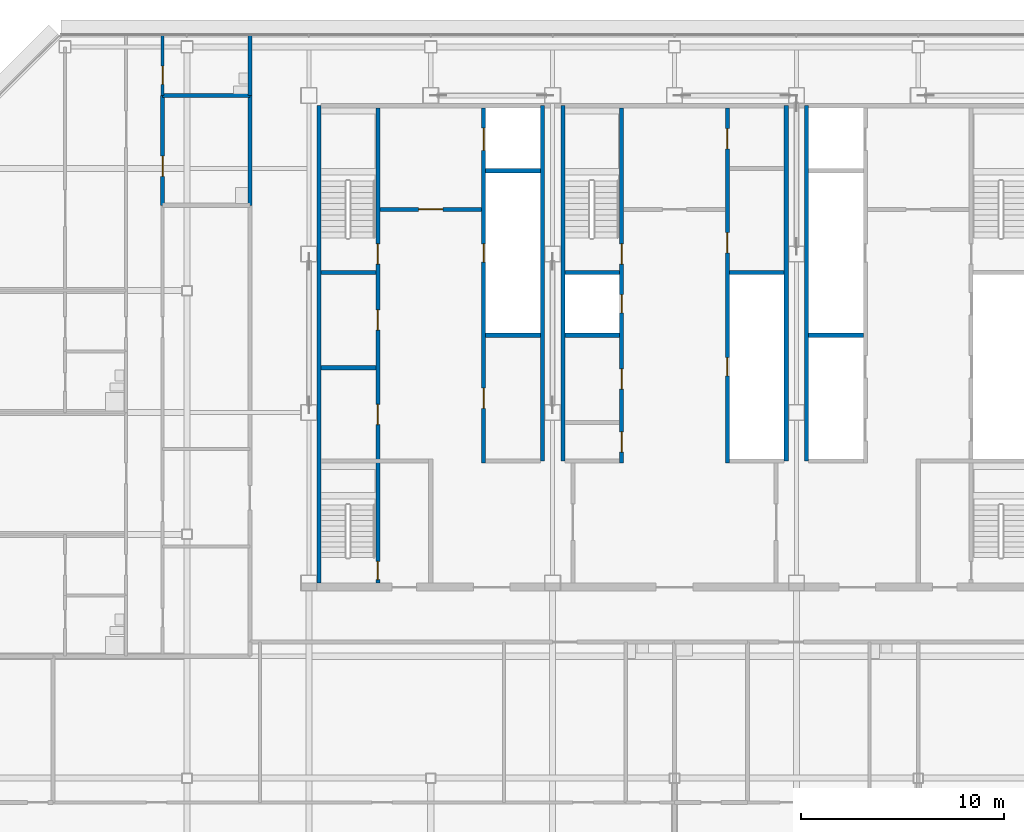
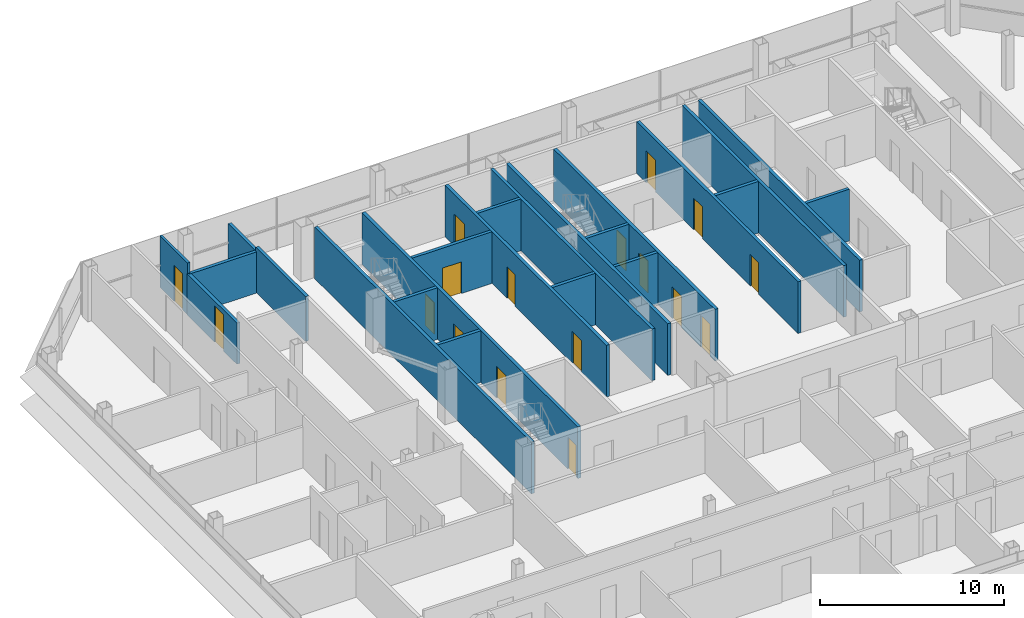
# One storey, part 24 of 28: 23 walls, 17 doors, 17 openings.
"""IFC4 building model written with IfcOpenShell, lengths in metres."""

from ifc_helpers import new_model, si_unit, direction, frame, frame_2d, origin, place, context, subcontext, project, spatial, rectangle, extrude, material, layer, layer_set, type_object, element, fill, save


model = new_model("IFC4")

# Units and contexts
model_context = context("Model", 3, precision=1e-05, world=origin(), true_north=direction((0.0, 1.0)))
body_context = subcontext(model_context, "Body", "Model", "MODEL_VIEW")
ifc_project = project(units=[si_unit("LENGTHUNIT", "METRE"), si_unit("AREAUNIT", "SQUARE_METRE"), si_unit("VOLUMEUNIT", "CUBIC_METRE"), si_unit("PLANEANGLEUNIT", "RADIAN"), si_unit("MASSUNIT", "GRAM", prefix="KILO")], contexts=[model_context])

# Site, building, storey
site_placement = place(None, origin())
site = spatial("IfcSite", under=ifc_project, at=site_placement, CompositionType="ELEMENT")
building_placement = place(site_placement, origin())
building = spatial("IfcBuilding", under=site, at=building_placement, Name="Sorahane Residences", CompositionType="ELEMENT")
storey_placement = place(building_placement, frame((0.0, 0.0, 273.800048828125)))
storey = spatial("IfcBuildingStorey", under=building, at=storey_placement, Name="L65", CompositionType="ELEMENT", Elevation=273.800048828125)

# Walls
ifc_material_1 = material(Name="Concrete C30", Category="concrete")
ifc_layer_1 = layer(ifc_material_1, 0.199951171875)
ifc_layer_set_1 = layer_set([ifc_layer_1], Name="Core face wall 200 EI 180")
wall_type_1 = type_object("IfcWallType", Name="Core face wall 200 EI 180", PredefinedType="SOLIDWALL", material=ifc_layer_set_1)
wall_1_placement = place(storey_placement, frame((6.5, 21.60009765625, 0.0), z_axis=(0.0, 0.0, 1.0), x_axis=(0.0, 1.0, 0.0)))
element("IfcWall", 1, at=wall_1_placement, inside=storey, type_object=wall_type_1, Name="L65 core face wall", PredefinedType="SOLIDWALL", context=body_context, shape_type="SweptSolid", body=[
    extrude(rectangle(XDim=23.5, YDim=0.199951171875, at=frame_2d((11.75, 0.0))), origin(), (0.0, 0.0, 1.0), 3.419921875),
])
for number, where, z_axis, x_axis, name in (
    (2, (17.5, 27.60009765625, 0.0), (0.0, 0.0, 1.0), (0.0, 1.0, 0.0), "L65 core face wall"),
    (3, (18.5, 27.60009765625, 0.0), (0.0, 0.0, 1.0), (0.0, 1.0, 0.0), "L65 core face wall"),
    (4, (29.5, 27.60009765625, 0.0), (0.0, 0.0, 1.0), (0.0, 1.0, 0.0), "L65 core face wall"),
    (5, (30.5, 27.60009765625, 0.0), (0.0, 0.0, 1.0), (0.0, 1.0, 0.0), "L65 core face wall"),
):
    element("IfcWall", number, at=place(storey_placement, frame(where, z_axis=z_axis, x_axis=x_axis)), inside=storey, type_object=wall_type_1, Name=name, PredefinedType="SOLIDWALL", context=body_context, shape_type="SweptSolid", body=[
        extrude(rectangle(XDim=17.5, YDim=0.199951171875, at=frame_2d((8.75, 0.0))), origin(), (0.0, 0.0, 1.0), 3.419921875),
    ])
ifc_material_2 = material(Name="Concrete blockwork C20 wall", Category="masonry")
ifc_layer_2 = layer(ifc_material_2, 0.199951171875)
ifc_layer_set_2 = layer_set([ifc_layer_2], Name="Corridor wall 200 EI 120")
wall_type_2 = type_object("IfcWallType", Name="Corridor wall 200 EI 120", PredefinedType="SOLIDWALL", material=ifc_layer_set_2)
wall_2_placement = place(storey_placement, frame((3.10009765625, 45.60009765625, 0.0), z_axis=(0.0, 0.0, 1.0), x_axis=(0.0, 1.0, 0.0)))
element("IfcWall", 6, at=wall_2_placement, inside=storey, type_object=wall_type_2, Name="L65 corridor wall", PredefinedType="SOLIDWALL", context=body_context, shape_type="SweptSolid", body=[
    extrude(rectangle(XDim=3.0, YDim=0.199951171875, at=frame_2d((1.5, 0.0))), origin(), (0.0, 0.0, 1.0), 2.719970703125),
])

# Wall, opening, door
ifc_material_3 = material(Name="Concrete C30", Category="concrete")
ifc_layer_3 = layer(ifc_material_3, 0.199951171875)
ifc_layer_set_3 = layer_set([ifc_layer_3], Name="Front room wall 200 EI 120")
wall_type_3 = type_object("IfcWallType", Name="Front room wall 200 EI 120", PredefinedType="PARTITIONING", material=ifc_layer_set_3)
wall_3_placement = place(storey_placement, frame((9.5, 40.0, 0.0), z_axis=(0.0, 0.0, 1.0), x_axis=(1.0, 0.0, 0.0)))
wall_3 = element("IfcWall", 7, at=wall_3_placement, inside=storey, type_object=wall_type_3, Name="L65 front room wall", PredefinedType="PARTITIONING", context=body_context, shape_type="SweptSolid", body=[
    extrude(rectangle(XDim=5.0, YDim=0.199951171875, at=frame_2d((2.5, 0.0))), origin(), (0.0, 0.0, 1.0), 3.419921875),
])
opening_1_placement = place(wall_3_placement, frame((1.89990234375, 0.0, 0.0)))
opening_1 = element("IfcOpeningElement", 8, at=opening_1_placement, cuts=wall_3, Name="Opening L65-C08", PredefinedType="OPENING", context=body_context, shape_type="SweptSolid", body=[
    extrude(rectangle(XDim=1.199951171875, YDim=2.10009765625, at=frame_2d((0.60009765625, 1.050048828125))), frame((0.0, 0.10986328125, 0.0), z_axis=(0.0, -1.0, 0.0), x_axis=(1.0, 0.0, 0.0)), (0.0, 0.0, 1.0), 0.219970703125),
])
ifc_material_4 = material(Name="Steel", Category="steel")
door_type_1 = type_object("IfcDoorType", Name="Front room door 1200x2100 FD120", OperationType="NOTDEFINED", PredefinedType="DOOR", material=ifc_material_4)
door_1_placement = place(opening_1_placement, frame((1.199951171875, 0.0, 0.0), z_axis=(0.0, 0.0, 1.0), x_axis=(-1.0, 0.0, 0.0)))
door_1 = element("IfcDoor", 9, at=door_1_placement, inside=storey, type_object=door_type_1, Name="Front room door Firefighting lobby FF1 front room L65", OperationType="DOUBLE_DOOR_SINGLE_SWING", OverallHeight=2.10009765625, OverallWidth=1.199951171875, PredefinedType="DOOR", context=body_context, shape_type="SweptSolid", body=[
    extrude(rectangle(XDim=1.199951171875, YDim=2.10009765625, at=frame_2d((0.60009765625, 1.050048828125))), frame((0.0, 0.02490234375, 0.0), z_axis=(0.0, -1.0, 0.0), x_axis=(1.0, 0.0, 0.0)), (0.0, 0.0, 1.0), 0.050048828125),
])
fill(opening_1, door_1)

ifc_material_5 = material(Name="Concrete blockwork C20 wall", Category="masonry")
ifc_layer_4 = layer(ifc_material_5, 0.199951171875)
ifc_layer_set_4 = layer_set([ifc_layer_4], Name="Kitchen wall 200 EI 180")
wall_type_4 = type_object("IfcWallType", Name="Kitchen wall 200 EI 180", PredefinedType="SOLIDWALL", material=ifc_layer_set_4)
wall_4_placement = place(storey_placement, frame((-1.199951171875, 40.199951171875, 0.0), z_axis=(0.0, 0.0, 1.0), x_axis=(0.0, 1.0, 0.0)))
wall_4 = element("IfcWall", 10, at=wall_4_placement, inside=storey, type_object=wall_type_4, Name="L65 kitchen wall", PredefinedType="SOLIDWALL", context=body_context, shape_type="SweptSolid", body=[
    extrude(rectangle(XDim=5.400146484375, YDim=0.199951171875, at=frame_2d((2.7001953125, 0.0))), origin(), (0.0, 0.0, 1.0), 2.719970703125),
])
opening_2_placement = place(wall_4_placement, frame((1.419921875, 0.0, 0.0)))
opening_2 = element("IfcOpeningElement", 11, at=opening_2_placement, cuts=wall_4, Name="Opening L65-33", PredefinedType="OPENING", context=body_context, shape_type="SweptSolid", body=[
    extrude(rectangle(XDim=1.0, YDim=2.39990234375, at=frame_2d((0.5, 1.199951171875))), frame((0.0, 0.10986328125, 0.0), z_axis=(0.0, -1.0, 0.0), x_axis=(1.0, 0.0, 0.0)), (0.0, 0.0, 1.0), 0.219970703125),
])
ifc_material_6 = material(Name="Steel", Category="steel")
door_type_2 = type_object("IfcDoorType", Name="Kitchen door 1000x2400 FD120", OperationType="NOTDEFINED", PredefinedType="DOOR", material=ifc_material_6)
door_2_placement = place(opening_2_placement, frame((1.0, 0.0, 0.0), z_axis=(0.0, 0.0, 1.0), x_axis=(-1.0, 0.0, 0.0)))
door_2 = element("IfcDoor", 12, at=door_2_placement, inside=storey, type_object=door_type_2, Name="Kitchen door L65-33", OperationType="SINGLE_SWING_LEFT", OverallHeight=2.39990234375, OverallWidth=1.0, PredefinedType="DOOR", context=body_context, shape_type="SweptSolid", body=[
    extrude(rectangle(XDim=1.0, YDim=2.39990234375, at=frame_2d((0.5, 1.199951171875))), frame((0.0, 0.02490234375, 0.0), z_axis=(0.0, -1.0, 0.0), x_axis=(1.0, 0.0, 0.0)), (0.0, 0.0, 1.0), 0.050048828125),
])
fill(opening_2, door_2)

# Walls
wall_5_placement = place(storey_placement, frame((3.10009765625, 40.199951171875, 0.0), z_axis=(0.0, 0.0, 1.0), x_axis=(0.0, 1.0, 0.0)))
element("IfcWall", 13, at=wall_5_placement, inside=storey, type_object=wall_type_4, Name="L65 kitchen wall", PredefinedType="SOLIDWALL", context=body_context, shape_type="SweptSolid", body=[
    extrude(rectangle(XDim=5.400146484375, YDim=0.199951171875, at=frame_2d((2.7001953125, 0.0))), origin(), (0.0, 0.0, 1.0), 2.969970703125),
])
wall_6_placement = place(storey_placement, frame((-1.199951171875, 45.60009765625, 0.0), z_axis=(0.0, 0.0, 1.0), x_axis=(1.0, 0.0, 0.0)))
element("IfcWall", 14, at=wall_6_placement, inside=storey, type_object=wall_type_4, Name="L65 kitchen wall", PredefinedType="SOLIDWALL", context=body_context, shape_type="SweptSolid", body=[
    extrude(rectangle(XDim=4.300048828125, YDim=0.199951171875, at=frame_2d((2.14990234375, 0.0))), origin(), (0.0, 0.0, 1.0), 2.719970703125),
])

# Wall, openings, doors
ifc_material_7 = material(Name="Concrete C30", Category="concrete")
ifc_layer_5 = layer(ifc_material_7, 0.199951171875)
ifc_layer_set_5 = layer_set([ifc_layer_5], Name="Lift shaft wall 200 EI 120")
wall_type_5 = type_object("IfcWallType", Name="Lift shaft wall 200 EI 120", PredefinedType="SOLIDWALL", material=ifc_layer_set_5)
wall_7_placement = place(storey_placement, frame((14.60009765625, 27.5, 0.0), z_axis=(0.0, 0.0, 1.0), x_axis=(0.0, 1.0, 0.0)))
wall_7 = element("IfcWall", 15, at=wall_7_placement, inside=storey, type_object=wall_type_5, Name="L65 lift shaft wall", PredefinedType="SOLIDWALL", context=body_context, shape_type="SweptSolid", body=[
    extrude(rectangle(XDim=17.5, YDim=0.199951171875, at=frame_2d((8.75, 0.0))), origin(), (0.0, 0.0, 1.0), 3.419921875),
])
opening_3_placement = place(wall_7_placement, frame((15.39990234375, 0.0, 0.0)))
opening_3 = element("IfcOpeningElement", 16, at=opening_3_placement, cuts=wall_7, Name="Opening L65-C17", PredefinedType="OPENING", context=body_context, shape_type="SweptSolid", body=[
    extrude(rectangle(XDim=1.10009765625, YDim=2.10009765625, at=frame_2d((0.550048828125, 1.050048828125))), frame((0.0, 0.10986328125, 0.0), z_axis=(0.0, -1.0, 0.0), x_axis=(1.0, 0.0, 0.0)), (0.0, 0.0, 1.0), 0.219970703125),
])
opening_4_placement = place(wall_7_placement, frame((2.699951171875, 0.0, 0.0)))
opening_4 = element("IfcOpeningElement", 17, at=opening_4_placement, cuts=wall_7, Name="Opening L65-C20", PredefinedType="OPENING", context=body_context, shape_type="SweptSolid", body=[
    extrude(rectangle(XDim=1.0, YDim=2.10009765625, at=frame_2d((0.5, 1.050048828125))), frame((0.0, 0.10986328125, 0.0), z_axis=(0.0, -1.0, 0.0), x_axis=(1.0, 0.0, 0.0)), (0.0, 0.0, 1.0), 0.219970703125),
])
opening_5_placement = place(wall_7_placement, frame((9.89990234375, 0.0, 0.0)))
opening_5 = element("IfcOpeningElement", 18, at=opening_5_placement, cuts=wall_7, Name="Opening L65-C28", PredefinedType="OPENING", context=body_context, shape_type="SweptSolid", body=[
    extrude(rectangle(XDim=0.89990234375, YDim=2.10009765625, at=frame_2d((0.449951171875, 1.050048828125))), frame((0.0, 0.10986328125, 0.0), z_axis=(0.0, -1.0, 0.0), x_axis=(1.0, 0.0, 0.0)), (0.0, 0.0, 1.0), 0.219970703125),
])
ifc_material_8 = material(Name="Aluminium and stainless steel", Category="steel")
door_type_3 = type_object("IfcDoorType", Name="Lift landing door 1100x2100 E 60", OperationType="NOTDEFINED", PredefinedType="DOOR", material=ifc_material_8)
door_3_placement = place(opening_3_placement, origin())
door_3 = element("IfcDoor", 19, at=door_3_placement, inside=storey, type_object=door_type_3, Name="Lift landing door FF1 L65", OperationType="DOUBLE_DOOR_SLIDING", OverallHeight=2.10009765625, OverallWidth=1.10009765625, PredefinedType="DOOR", context=body_context, shape_type="SweptSolid", body=[
    extrude(rectangle(XDim=1.10009765625, YDim=2.10009765625, at=frame_2d((0.550048828125, 1.050048828125))), frame((0.0, 0.02490234375, 0.0), z_axis=(0.0, -1.0, 0.0), x_axis=(1.0, 0.0, 0.0)), (0.0, 0.0, 1.0), 0.050048828125),
])
fill(opening_3, door_3)
ifc_material_9 = material(Name="Steel", Category="steel")
door_type_4 = type_object("IfcDoorType", Name="Riser door 900x2100 FD120", OperationType="NOTDEFINED", PredefinedType="DOOR", material=ifc_material_9)
door_4_placement = place(opening_5_placement, origin())
door_4 = element("IfcDoor", 20, at=door_4_placement, inside=storey, type_object=door_type_4, Name="Riser door R1 L65", OperationType="SINGLE_SWING_LEFT", OverallHeight=2.10009765625, OverallWidth=0.89990234375, PredefinedType="DOOR", context=body_context, shape_type="SweptSolid", body=[
    extrude(rectangle(XDim=0.89990234375, YDim=2.10009765625, at=frame_2d((0.449951171875, 1.050048828125))), frame((0.0, 0.02490234375, 0.0), z_axis=(0.0, -1.0, 0.0), x_axis=(1.0, 0.0, 0.0)), (0.0, 0.0, 1.0), 0.050048828125),
])
fill(opening_5, door_4)
ifc_material_10 = material(Name="Steel", Category="steel")
door_type_5 = type_object("IfcDoorType", Name="Service room door 1000x2100 FD60", OperationType="NOTDEFINED", PredefinedType="DOOR", material=ifc_material_10)
door_5_placement = place(opening_4_placement, frame((1.0, 0.0, 0.0), z_axis=(0.0, 0.0, 1.0), x_axis=(-1.0, 0.0, 0.0)))
door_5 = element("IfcDoor", 21, at=door_5_placement, inside=storey, type_object=door_type_5, Name="Service room door Linen store L65", OperationType="SINGLE_SWING_RIGHT", OverallHeight=2.10009765625, OverallWidth=1.0, PredefinedType="DOOR", context=body_context, shape_type="SweptSolid", body=[
    extrude(rectangle(XDim=1.0, YDim=2.10009765625, at=frame_2d((0.5, 1.050048828125))), frame((0.0, 0.02490234375, 0.0), z_axis=(0.0, -1.0, 0.0), x_axis=(1.0, 0.0, 0.0)), (0.0, 0.0, 1.0), 0.050048828125),
])
fill(opening_4, door_5)

# Walls
for number, where, z_axis, x_axis, name in (
    (22, (30.60009765625, 33.800048828125, 0.0), (0.0, 0.0, 1.0), (1.0, 0.0, 0.0), "L65 lift shaft wall"),
    (23, (14.699951171875, 41.89990234375, 0.0), (0.0, 0.0, 1.0), (1.0, 0.0, 0.0), "L65 lift shaft wall"),
):
    element("IfcWall", number, at=place(storey_placement, frame(where, z_axis=z_axis, x_axis=x_axis)), inside=storey, type_object=wall_type_5, Name=name, PredefinedType="SOLIDWALL", context=body_context, shape_type="SweptSolid", body=[
        extrude(rectangle(XDim=2.699951171875, YDim=0.199951171875, at=frame_2d((1.35009765625, 0.0))), origin(), (0.0, 0.0, 1.0), 3.419921875),
    ])

# Wall, openings, doors
ifc_material_11 = material(Name="Concrete C30", Category="concrete")
ifc_layer_6 = layer(ifc_material_11, 0.199951171875)
ifc_layer_set_6 = layer_set([ifc_layer_6], Name="Riser shaft wall 200 EI 120")
wall_type_6 = type_object("IfcWallType", Name="Riser shaft wall 200 EI 120", PredefinedType="SOLIDWALL", material=ifc_layer_set_6)
wall_8_placement = place(storey_placement, frame((26.60009765625, 27.5, 0.0), z_axis=(0.0, 0.0, 1.0), x_axis=(0.0, 1.0, 0.0)))
wall_8 = element("IfcWall", 24, at=wall_8_placement, inside=storey, type_object=wall_type_6, Name="L65 riser wall", PredefinedType="SOLIDWALL", context=body_context, shape_type="SweptSolid", body=[
    extrude(rectangle(XDim=17.5, YDim=0.199951171875, at=frame_2d((8.75, 0.0))), origin(), (0.0, 0.0, 1.0), 3.419921875),
])
opening_6_placement = place(wall_8_placement, frame((4.300048828125, 0.0, 0.0)))
opening_6 = element("IfcOpeningElement", 25, at=opening_6_placement, cuts=wall_8, Name="Opening L65-C31", PredefinedType="OPENING", context=body_context, shape_type="SweptSolid", body=[
    extrude(rectangle(XDim=0.89990234375, YDim=2.10009765625, at=frame_2d((0.449951171875, 1.050048828125))), frame((0.0, 0.10986328125, 0.0), z_axis=(0.0, -1.0, 0.0), x_axis=(1.0, 0.0, 0.0)), (0.0, 0.0, 1.0), 0.219970703125),
])
opening_7_placement = place(wall_8_placement, frame((10.35009765625, 0.0, 0.0)))
opening_7 = element("IfcOpeningElement", 26, at=opening_7_placement, cuts=wall_8, Name="Opening L65-C32", PredefinedType="OPENING", context=body_context, shape_type="SweptSolid", body=[
    extrude(rectangle(XDim=1.0, YDim=2.10009765625, at=frame_2d((0.5, 1.050048828125))), frame((0.0, 0.10986328125, 0.0), z_axis=(0.0, -1.0, 0.0), x_axis=(1.0, 0.0, 0.0)), (0.0, 0.0, 1.0), 0.219970703125),
])
opening_8_placement = place(wall_8_placement, frame((15.47509765625, 0.0, 0.0)))
opening_8 = element("IfcOpeningElement", 27, at=opening_8_placement, cuts=wall_8, Name="Opening L65-C33", PredefinedType="OPENING", context=body_context, shape_type="SweptSolid", body=[
    extrude(rectangle(XDim=1.0, YDim=2.10009765625, at=frame_2d((0.5, 1.050048828125))), frame((0.0, 0.10986328125, 0.0), z_axis=(0.0, -1.0, 0.0), x_axis=(1.0, 0.0, 0.0)), (0.0, 0.0, 1.0), 0.219970703125),
])
door_6_placement = place(opening_6_placement, origin())
door_6 = element("IfcDoor", 28, at=door_6_placement, inside=storey, type_object=door_type_4, Name="Riser door R4 L65", OperationType="SINGLE_SWING_LEFT", OverallHeight=2.10009765625, OverallWidth=0.89990234375, PredefinedType="DOOR", context=body_context, shape_type="SweptSolid", body=[
    extrude(rectangle(XDim=0.89990234375, YDim=2.10009765625, at=frame_2d((0.449951171875, 1.050048828125))), frame((0.0, 0.02490234375, 0.0), z_axis=(0.0, -1.0, 0.0), x_axis=(1.0, 0.0, 0.0)), (0.0, 0.0, 1.0), 0.050048828125),
])
fill(opening_6, door_6)
door_7_placement = place(opening_7_placement, frame((1.0, 0.0, 0.0), z_axis=(0.0, 0.0, 1.0), x_axis=(-1.0, 0.0, 0.0)))
door_7 = element("IfcDoor", 29, at=door_7_placement, inside=storey, type_object=door_type_5, Name="Service room door Parcel room L65", OperationType="SINGLE_SWING_LEFT", OverallHeight=2.10009765625, OverallWidth=1.0, PredefinedType="DOOR", context=body_context, shape_type="SweptSolid", body=[
    extrude(rectangle(XDim=1.0, YDim=2.10009765625, at=frame_2d((0.5, 1.050048828125))), frame((0.0, 0.02490234375, 0.0), z_axis=(0.0, -1.0, 0.0), x_axis=(1.0, 0.0, 0.0)), (0.0, 0.0, 1.0), 0.050048828125),
])
fill(opening_7, door_7)
door_8_placement = place(opening_8_placement, frame((1.0, 0.0, 0.0), z_axis=(0.0, 0.0, 1.0), x_axis=(-1.0, 0.0, 0.0)))
door_8 = element("IfcDoor", 30, at=door_8_placement, inside=storey, type_object=door_type_5, Name="Service room door Refuse room L65", OperationType="SINGLE_SWING_RIGHT", OverallHeight=2.10009765625, OverallWidth=1.0, PredefinedType="DOOR", context=body_context, shape_type="SweptSolid", body=[
    extrude(rectangle(XDim=1.0, YDim=2.10009765625, at=frame_2d((0.5, 1.050048828125))), frame((0.0, 0.02490234375, 0.0), z_axis=(0.0, -1.0, 0.0), x_axis=(1.0, 0.0, 0.0)), (0.0, 0.0, 1.0), 0.050048828125),
])
fill(opening_8, door_8)

# Walls
for number, where, z_axis, x_axis, name in (
    (31, (14.699951171875, 33.800048828125, 0.0), (0.0, 0.0, 1.0), (1.0, 0.0, 0.0), "L65 riser wall"),
    (32, (18.60009765625, 33.800048828125, 0.0), (0.0, 0.0, 1.0), (1.0, 0.0, 0.0), "L65 riser wall"),
    (33, (26.699951171875, 36.89990234375, 0.0), (0.0, 0.0, 1.0), (1.0, 0.0, 0.0), "L65 riser wall"),
):
    element("IfcWall", number, at=place(storey_placement, frame(where, z_axis=z_axis, x_axis=x_axis)), inside=storey, type_object=wall_type_6, Name=name, PredefinedType="SOLIDWALL", context=body_context, shape_type="SweptSolid", body=[
        extrude(rectangle(XDim=2.699951171875, YDim=0.199951171875, at=frame_2d((1.35009765625, 0.0))), origin(), (0.0, 0.0, 1.0), 3.419921875),
    ])
ifc_material_12 = material(Name="Concrete C30", Category="concrete")
ifc_layer_7 = layer(ifc_material_12, 0.199951171875)
ifc_layer_set_7 = layer_set([ifc_layer_7], Name="Service room partition 200 EI 60")
wall_type_7 = type_object("IfcWallType", Name="Service room partition 200 EI 60", PredefinedType="PARTITIONING", material=ifc_layer_set_7)
wall_9_placement = place(storey_placement, frame((6.60009765625, 32.199951171875, 0.0), z_axis=(0.0, 0.0, 1.0), x_axis=(1.0, 0.0, 0.0)))
element("IfcWall", 34, at=wall_9_placement, inside=storey, type_object=wall_type_7, Name="L65 service room wall", PredefinedType="PARTITIONING", context=body_context, shape_type="SweptSolid", body=[
    extrude(rectangle(XDim=2.699951171875, YDim=0.199951171875, at=frame_2d((1.35009765625, 0.0))), origin(), (0.0, 0.0, 1.0), 3.419921875),
])

# Wall, openings, doors
ifc_material_13 = material(Name="Concrete C30", Category="concrete")
ifc_layer_8 = layer(ifc_material_13, 0.199951171875)
ifc_layer_set_8 = layer_set([ifc_layer_8], Name="Stair enclosure wall 200 EI 120")
wall_type_8 = type_object("IfcWallType", Name="Stair enclosure wall 200 EI 120", PredefinedType="SOLIDWALL", material=ifc_layer_set_8)
wall_10_placement = place(storey_placement, frame((21.39990234375, 27.5, 0.0), z_axis=(0.0, 0.0, 1.0), x_axis=(0.0, 1.0, 0.0)))
wall_10 = element("IfcWall", 35, at=wall_10_placement, inside=storey, type_object=wall_type_8, Name="L65 stair enclosure wall", PredefinedType="SOLIDWALL", context=body_context, shape_type="SweptSolid", body=[
    extrude(rectangle(XDim=17.5, YDim=0.199951171875, at=frame_2d((8.75, 0.0))), origin(), (0.0, 0.0, 1.0), 3.419921875),
])
opening_9_placement = place(wall_10_placement, frame((0.550048828125, 0.0, 0.0)))
opening_9 = element("IfcOpeningElement", 36, at=opening_9_placement, cuts=wall_10, Name="Opening L65-C18", PredefinedType="OPENING", context=body_context, shape_type="SweptSolid", body=[
    extrude(rectangle(XDim=1.0, YDim=2.10009765625, at=frame_2d((0.5, 1.050048828125))), frame((0.0, 0.10986328125, 0.0), z_axis=(0.0, -1.0, 0.0), x_axis=(1.0, 0.0, 0.0)), (0.0, 0.0, 1.0), 0.219970703125),
])
opening_10_placement = place(wall_10_placement, frame((3.64990234375, 0.0, 0.0)))
opening_10 = element("IfcOpeningElement", 37, at=opening_10_placement, cuts=wall_10, Name="Opening L65-C19", PredefinedType="OPENING", context=body_context, shape_type="SweptSolid", body=[
    extrude(rectangle(XDim=1.0, YDim=2.10009765625, at=frame_2d((0.5, 1.050048828125))), frame((0.0, 0.10986328125, 0.0), z_axis=(0.0, -1.0, 0.0), x_axis=(1.0, 0.0, 0.0)), (0.0, 0.0, 1.0), 0.219970703125),
])
opening_11_placement = place(wall_10_placement, frame((9.800048828125, 0.0, 0.0)))
opening_11 = element("IfcOpeningElement", 38, at=opening_11_placement, cuts=wall_10, Name="Opening L65-C25", PredefinedType="OPENING", context=body_context, shape_type="SweptSolid", body=[
    extrude(rectangle(XDim=1.0, YDim=2.10009765625, at=frame_2d((0.5, 1.050048828125))), frame((0.0, 0.10986328125, 0.0), z_axis=(0.0, -1.0, 0.0), x_axis=(1.0, 0.0, 0.0)), (0.0, 0.0, 1.0), 0.219970703125),
])
opening_12_placement = place(wall_10_placement, frame((7.39990234375, 0.0, 0.0)))
opening_12 = element("IfcOpeningElement", 39, at=opening_12_placement, cuts=wall_10, Name="Opening L65-C30", PredefinedType="OPENING", context=body_context, shape_type="SweptSolid", body=[
    extrude(rectangle(XDim=0.89990234375, YDim=2.10009765625, at=frame_2d((0.449951171875, 1.050048828125))), frame((0.0, 0.10986328125, 0.0), z_axis=(0.0, -1.0, 0.0), x_axis=(1.0, 0.0, 0.0)), (0.0, 0.0, 1.0), 0.219970703125),
])
door_9_placement = place(opening_12_placement, frame((0.89990234375, 0.0, 0.0), z_axis=(0.0, 0.0, 1.0), x_axis=(-1.0, 0.0, 0.0)))
door_9 = element("IfcDoor", 40, at=door_9_placement, inside=storey, type_object=door_type_4, Name="Riser door R3 L65", OperationType="SINGLE_SWING_LEFT", OverallHeight=2.10009765625, OverallWidth=0.89990234375, PredefinedType="DOOR", context=body_context, shape_type="SweptSolid", body=[
    extrude(rectangle(XDim=0.89990234375, YDim=2.10009765625, at=frame_2d((0.449951171875, 1.050048828125))), frame((0.0, 0.02490234375, 0.0), z_axis=(0.0, -1.0, 0.0), x_axis=(1.0, 0.0, 0.0)), (0.0, 0.0, 1.0), 0.050048828125),
])
fill(opening_12, door_9)
door_10_placement = place(opening_9_placement, origin())
door_10 = element("IfcDoor", 41, at=door_10_placement, inside=storey, type_object=door_type_5, Name="Service room door Coat store L65", OperationType="SINGLE_SWING_LEFT", OverallHeight=2.10009765625, OverallWidth=1.0, PredefinedType="DOOR", context=body_context, shape_type="SweptSolid", body=[
    extrude(rectangle(XDim=1.0, YDim=2.10009765625, at=frame_2d((0.5, 1.050048828125))), frame((0.0, 0.02490234375, 0.0), z_axis=(0.0, -1.0, 0.0), x_axis=(1.0, 0.0, 0.0)), (0.0, 0.0, 1.0), 0.050048828125),
])
fill(opening_9, door_10)
door_11_placement = place(opening_10_placement, origin())
door_11 = element("IfcDoor", 42, at=door_11_placement, inside=storey, type_object=door_type_5, Name="Service room door Quiet room L65", OperationType="SINGLE_SWING_LEFT", OverallHeight=2.10009765625, OverallWidth=1.0, PredefinedType="DOOR", context=body_context, shape_type="SweptSolid", body=[
    extrude(rectangle(XDim=1.0, YDim=2.10009765625, at=frame_2d((0.5, 1.050048828125))), frame((0.0, 0.02490234375, 0.0), z_axis=(0.0, -1.0, 0.0), x_axis=(1.0, 0.0, 0.0)), (0.0, 0.0, 1.0), 0.050048828125),
])
fill(opening_10, door_11)
ifc_material_14 = material(Name="Steel", Category="steel")
door_type_6 = type_object("IfcDoorType", Name="Stair door 1000x2100 FD120", OperationType="NOTDEFINED", PredefinedType="DOOR", material=ifc_material_14)
door_12_placement = place(opening_11_placement, origin())
door_12 = element("IfcDoor", 43, at=door_12_placement, inside=storey, type_object=door_type_6, Name="Stair door S3 L65", OperationType="SINGLE_SWING_LEFT", OverallHeight=2.10009765625, OverallWidth=1.0, PredefinedType="DOOR", context=body_context, shape_type="SweptSolid", body=[
    extrude(rectangle(XDim=1.0, YDim=2.10009765625, at=frame_2d((0.5, 1.050048828125))), frame((0.0, 0.02490234375, 0.0), z_axis=(0.0, -1.0, 0.0), x_axis=(1.0, 0.0, 0.0)), (0.0, 0.0, 1.0), 0.050048828125),
])
fill(opening_11, door_12)

wall_11_placement = place(storey_placement, frame((9.39990234375, 21.60009765625, 0.0), z_axis=(0.0, 0.0, 1.0), x_axis=(0.0, 1.0, 0.0)))
wall_11 = element("IfcWall", 44, at=wall_11_placement, inside=storey, type_object=wall_type_8, Name="L65 stair enclosure wall", PredefinedType="SOLIDWALL", context=body_context, shape_type="SweptSolid", body=[
    extrude(rectangle(XDim=23.39990234375, YDim=0.199951171875, at=frame_2d((11.699951171875, 0.0))), origin(), (0.0, 0.0, 1.0), 3.419921875),
])
opening_13_placement = place(wall_11_placement, frame((7.800048828125, 0.0, 0.0)))
opening_13 = element("IfcOpeningElement", 45, at=opening_13_placement, cuts=wall_11, Name="Opening L65-C21", PredefinedType="OPENING", context=body_context, shape_type="SweptSolid", body=[
    extrude(rectangle(XDim=1.0, YDim=2.10009765625, at=frame_2d((0.5, 1.050048828125))), frame((0.0, 0.10986328125, 0.0), z_axis=(0.0, -1.0, 0.0), x_axis=(1.0, 0.0, 0.0)), (0.0, 0.0, 1.0), 0.219970703125),
])
opening_14_placement = place(wall_11_placement, frame((12.449951171875, 0.0, 0.0)))
opening_14 = element("IfcOpeningElement", 46, at=opening_14_placement, cuts=wall_11, Name="Opening L65-C22", PredefinedType="OPENING", context=body_context, shape_type="SweptSolid", body=[
    extrude(rectangle(XDim=1.0, YDim=2.10009765625, at=frame_2d((0.5, 1.050048828125))), frame((0.0, 0.10986328125, 0.0), z_axis=(0.0, -1.0, 0.0), x_axis=(1.0, 0.0, 0.0)), (0.0, 0.0, 1.0), 0.219970703125),
])
opening_15_placement = place(wall_11_placement, frame((15.699951171875, 0.0, 0.0)))
opening_15 = element("IfcOpeningElement", 47, at=opening_15_placement, cuts=wall_11, Name="Opening L65-C23", PredefinedType="OPENING", context=body_context, shape_type="SweptSolid", body=[
    extrude(rectangle(XDim=1.0, YDim=2.10009765625, at=frame_2d((0.5, 1.050048828125))), frame((0.0, 0.10986328125, 0.0), z_axis=(0.0, -1.0, 0.0), x_axis=(1.0, 0.0, 0.0)), (0.0, 0.0, 1.0), 0.219970703125),
])
opening_16_placement = place(wall_11_placement, frame((0.175048828125, 0.0, 0.0)))
opening_16 = element("IfcOpeningElement", 48, at=opening_16_placement, cuts=wall_11, Name="Opening L65-C26", PredefinedType="OPENING", context=body_context, shape_type="SweptSolid", body=[
    extrude(rectangle(XDim=0.89990234375, YDim=2.10009765625, at=frame_2d((0.449951171875, 1.050048828125))), frame((0.0, 0.10986328125, 0.0), z_axis=(0.0, -1.0, 0.0), x_axis=(1.0, 0.0, 0.0)), (0.0, 0.0, 1.0), 0.219970703125),
])
door_13_placement = place(opening_13_placement, origin())
door_13 = element("IfcDoor", 49, at=door_13_placement, inside=storey, type_object=door_type_5, Name="Service room door Linen store L65", OperationType="SINGLE_SWING_RIGHT", OverallHeight=2.10009765625, OverallWidth=1.0, PredefinedType="DOOR", context=body_context, shape_type="SweptSolid", body=[
    extrude(rectangle(XDim=1.0, YDim=2.10009765625, at=frame_2d((0.5, 1.050048828125))), frame((0.0, 0.02490234375, 0.0), z_axis=(0.0, -1.0, 0.0), x_axis=(1.0, 0.0, 0.0)), (0.0, 0.0, 1.0), 0.050048828125),
])
fill(opening_13, door_13)
door_14_placement = place(opening_14_placement, origin())
door_14 = element("IfcDoor", 50, at=door_14_placement, inside=storey, type_object=door_type_5, Name="Service room door Linen store L65", OperationType="SINGLE_SWING_LEFT", OverallHeight=2.10009765625, OverallWidth=1.0, PredefinedType="DOOR", context=body_context, shape_type="SweptSolid", body=[
    extrude(rectangle(XDim=1.0, YDim=2.10009765625, at=frame_2d((0.5, 1.050048828125))), frame((0.0, 0.02490234375, 0.0), z_axis=(0.0, -1.0, 0.0), x_axis=(1.0, 0.0, 0.0)), (0.0, 0.0, 1.0), 0.050048828125),
])
fill(opening_14, door_14)
door_15_placement = place(opening_15_placement, origin())
door_15 = element("IfcDoor", 51, at=door_15_placement, inside=storey, type_object=door_type_6, Name="Stair door S1 L65", OperationType="SINGLE_SWING_LEFT", OverallHeight=2.10009765625, OverallWidth=1.0, PredefinedType="DOOR", context=body_context, shape_type="SweptSolid", body=[
    extrude(rectangle(XDim=1.0, YDim=2.10009765625, at=frame_2d((0.5, 1.050048828125))), frame((0.0, 0.02490234375, 0.0), z_axis=(0.0, -1.0, 0.0), x_axis=(1.0, 0.0, 0.0)), (0.0, 0.0, 1.0), 0.050048828125),
])
fill(opening_15, door_15)
ifc_material_15 = material(Name="Steel", Category="steel")
door_type_7 = type_object("IfcDoorType", Name="Stair door 900x2100 FD120", OperationType="NOTDEFINED", PredefinedType="DOOR", material=ifc_material_15)
door_16_placement = place(opening_16_placement, origin())
door_16 = element("IfcDoor", 52, at=door_16_placement, inside=storey, type_object=door_type_7, Name="Stair door S4 L65", OperationType="SINGLE_SWING_LEFT", OverallHeight=2.10009765625, OverallWidth=0.89990234375, PredefinedType="DOOR", context=body_context, shape_type="SweptSolid", body=[
    extrude(rectangle(XDim=0.89990234375, YDim=2.10009765625, at=frame_2d((0.449951171875, 1.050048828125))), frame((0.0, 0.02490234375, 0.0), z_axis=(0.0, -1.0, 0.0), x_axis=(1.0, 0.0, 0.0)), (0.0, 0.0, 1.0), 0.050048828125),
])
fill(opening_16, door_16)

# Walls
for number, where, z_axis, x_axis, name in (
    (53, (18.60009765625, 36.89990234375, 0.0), (0.0, 0.0, 1.0), (1.0, 0.0, 0.0), "L65 stair enclosure wall"),
    (54, (6.60009765625, 36.89990234375, 0.0), (0.0, 0.0, 1.0), (1.0, 0.0, 0.0), "L65 stair enclosure wall"),
):
    element("IfcWall", number, at=place(storey_placement, frame(where, z_axis=z_axis, x_axis=x_axis)), inside=storey, type_object=wall_type_8, Name=name, PredefinedType="SOLIDWALL", context=body_context, shape_type="SweptSolid", body=[
        extrude(rectangle(XDim=2.699951171875, YDim=0.199951171875, at=frame_2d((1.35009765625, 0.0))), origin(), (0.0, 0.0, 1.0), 3.419921875),
    ])

# Wall, opening, door
ifc_material_16 = material(Name="Gypsum board partition on steel studs", Category="steel")
ifc_layer_9 = layer(ifc_material_16, 0.14990234375)
ifc_layer_set_9 = layer_set([ifc_layer_9], Name="Wet wall 150 EI 90")
wall_type_9 = type_object("IfcWallType", Name="Wet wall 150 EI 90", PredefinedType="PARTITIONING", material=ifc_layer_set_9)
wall_12_placement = place(storey_placement, frame((-1.199951171875, 45.60009765625, 0.0), z_axis=(0.0, 0.0, 1.0), x_axis=(0.0, 1.0, 0.0)))
wall_12 = element("IfcWall", 55, at=wall_12_placement, inside=storey, type_object=wall_type_9, Name="L65 wet wall", PredefinedType="PARTITIONING", context=body_context, shape_type="SweptSolid", body=[
    extrude(rectangle(XDim=3.0, YDim=0.14990234375, at=frame_2d((1.5, 0.0))), origin(), (0.0, 0.0, 1.0), 3.419921875),
])
opening_17_placement = place(wall_12_placement, frame((0.550048828125, 0.0, 0.0)))
opening_17 = element("IfcOpeningElement", 56, at=opening_17_placement, cuts=wall_12, Name="Opening L65-34", PredefinedType="OPENING", context=body_context, shape_type="SweptSolid", body=[
    extrude(rectangle(XDim=0.89990234375, YDim=2.39990234375, at=frame_2d((0.449951171875, 1.199951171875))), frame((0.0, 0.0849609375, 0.0), z_axis=(0.0, -1.0, 0.0), x_axis=(1.0, 0.0, 0.0)), (0.0, 0.0, 1.0), 0.169921875),
])
ifc_material_17 = material(Name="Timber veneered fire door", Category="wood")
door_type_8 = type_object("IfcDoorType", Name="Bathroom door 900x2400 FD30", OperationType="NOTDEFINED", PredefinedType="DOOR", material=ifc_material_17)
door_17_placement = place(opening_17_placement, origin())
door_17 = element("IfcDoor", 57, at=door_17_placement, inside=storey, type_object=door_type_8, Name="Bathroom door L65-34", OperationType="SINGLE_SWING_LEFT", OverallHeight=2.39990234375, OverallWidth=0.89990234375, PredefinedType="DOOR", context=body_context, shape_type="SweptSolid", body=[
    extrude(rectangle(XDim=0.89990234375, YDim=2.39990234375, at=frame_2d((0.449951171875, 1.199951171875))), frame((0.0, 0.02490234375, 0.0), z_axis=(0.0, -1.0, 0.0), x_axis=(1.0, 0.0, 0.0)), (0.0, 0.0, 1.0), 0.050048828125),
])
fill(opening_17, door_17)

save(model, "model.ifc")
